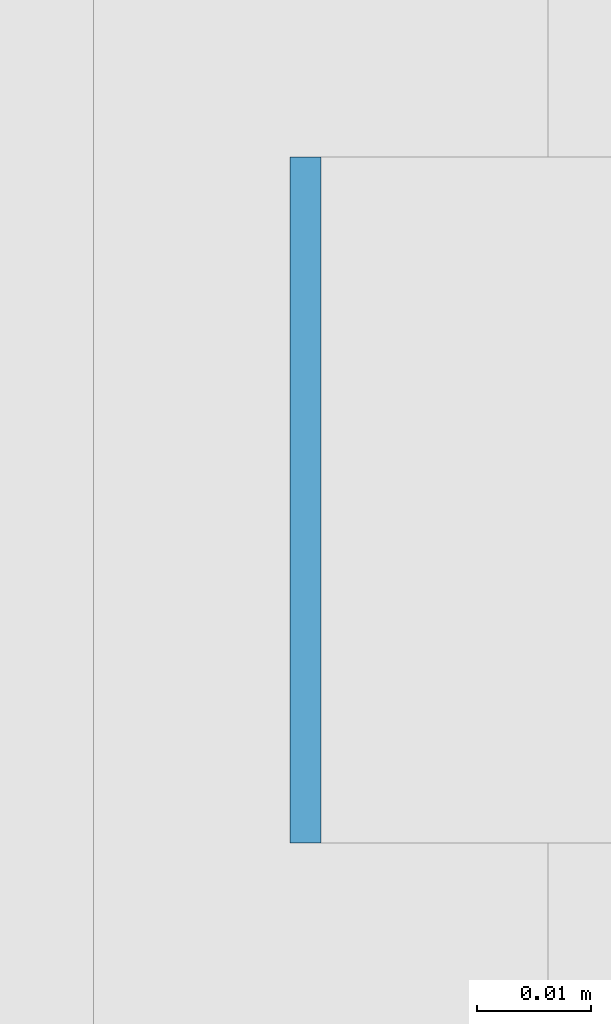
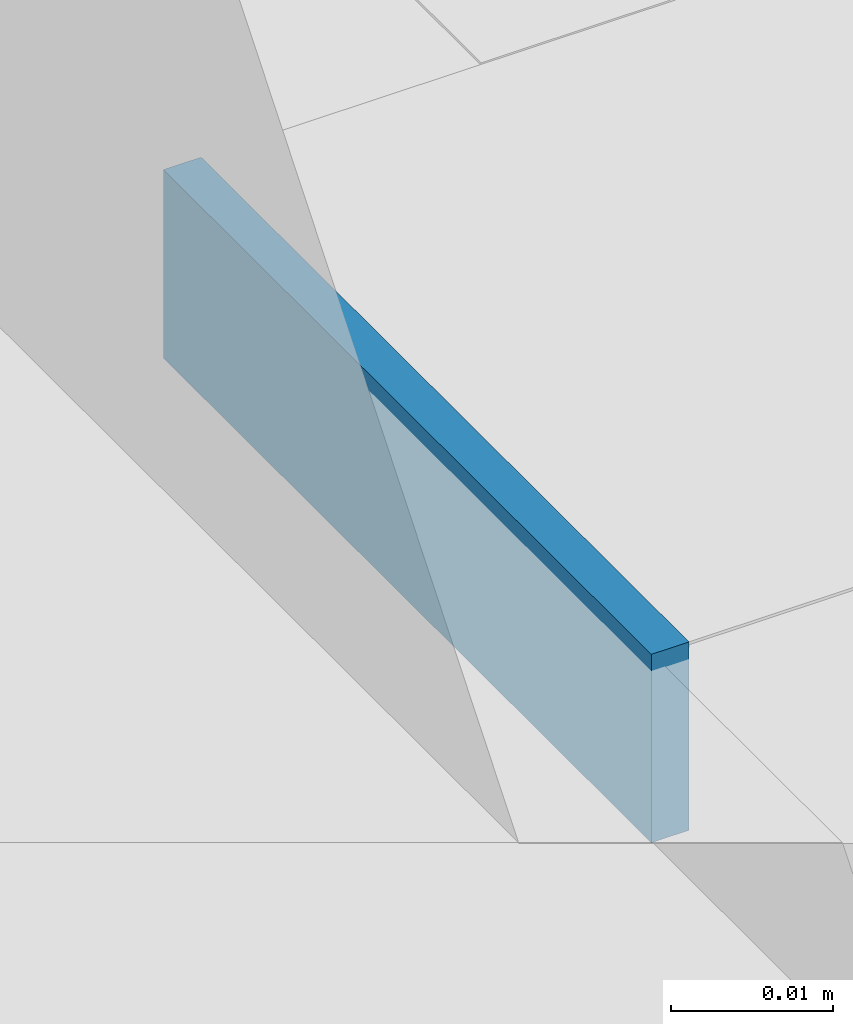
# One storey, part 501 of 646: 1 discrete accessory.
"""IFC4 building model written with IfcOpenShell, lengths in metres."""

from ifc_helpers import new_model, si_unit, direction, frame, origin, origin_2d, place, context, subcontext, project, spatial, rectangle, extrude, material, type_object, element, save


model = new_model("IFC4")

# Units and contexts
model_context = context("Model", 3, precision=1e-05, world=origin(), true_north=direction((0.0, 1.0)))
body_context = subcontext(model_context, "Body", "Model", "MODEL_VIEW")
ifc_project = project(units=[si_unit("LENGTHUNIT", "METRE"), si_unit("AREAUNIT", "SQUARE_METRE"), si_unit("VOLUMEUNIT", "CUBIC_METRE"), si_unit("PLANEANGLEUNIT", "RADIAN"), si_unit("MASSUNIT", "GRAM", prefix="KILO")], contexts=[model_context])

# Site, building, storey
site_placement = place(None, origin())
site = spatial("IfcSite", under=ifc_project, at=site_placement, CompositionType="ELEMENT")
building_placement = place(site_placement, origin())
building = spatial("IfcBuilding", under=site, at=building_placement, Name="Silverbay Arena", CompositionType="ELEMENT")
storey_placement = place(building_placement, frame((0.0, 0.0, 33.5)))
storey = spatial("IfcBuildingStorey", under=building, at=storey_placement, Name="L05", CompositionType="ELEMENT", Elevation=33.5)

# Discrete accessory
ifc_material = material(Name="Steel S355", Category="steel")
discrete_accessory_type = type_object("IfcDiscreteAccessoryType", Name="Steel bracket plate", PredefinedType="BRACKET", material=ifc_material)
discrete_accessory_placement = place(storey_placement, frame((207.128662109375, 68.142822265625, 12.98583984375), z_axis=(0.0, 0.0, 1.0), x_axis=(1.0, 0.0, 0.0)))
element("IfcDiscreteAccessory", 1, at=discrete_accessory_placement, inside=storey, type_object=discrete_accessory_type, Name="Curtain wall packing plate", PredefinedType="BRACKET", context=body_context, shape_type="SweptSolid", body=[
    extrude(rectangle(XDim=0.002685546875, YDim=0.06005859375, at=origin_2d()), origin(), (0.0, 0.0, 1.0), 0.01416015625),
])

save(model, "model.ifc")
